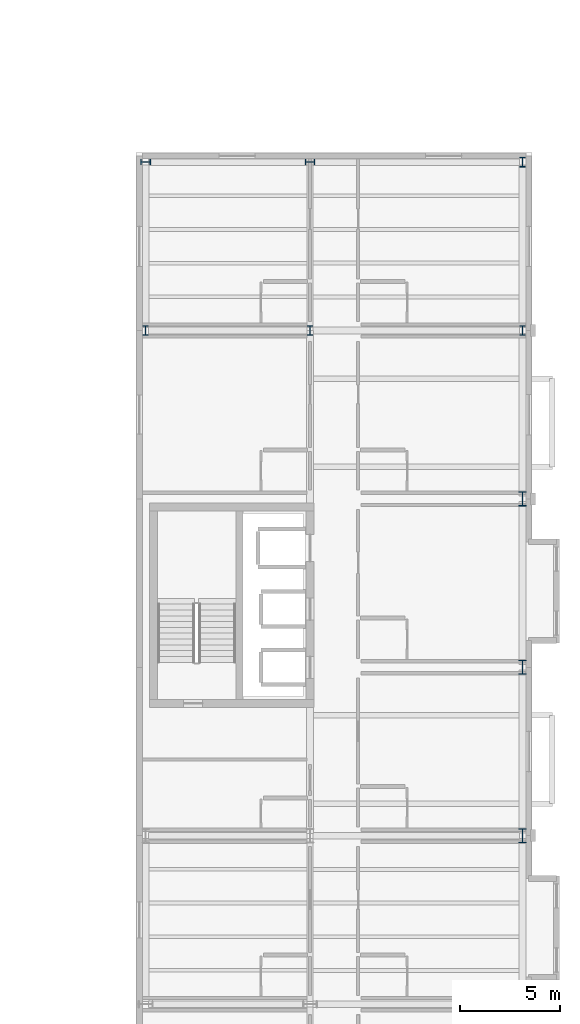
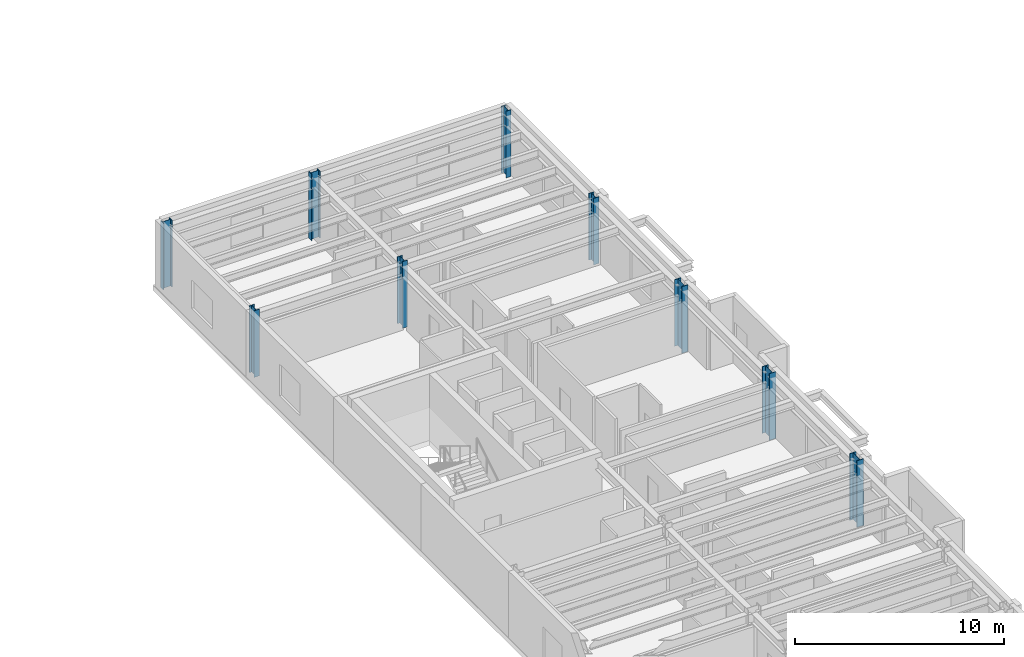
# One storey, part 12 of 59: 9 columns.
"""IFC4 building model written with IfcOpenShell, lengths in metres."""

from ifc_helpers import new_model, si_unit, direction, frame, origin, origin_2d, place, context, subcontext, project, spatial, i_section, extrude, material, material_profile, profile_set, type_object, element, save


model = new_model("IFC4")

# Units and contexts
model_context = context("Model", 3, precision=1e-05, world=origin(), true_north=direction((0.0, 1.0)))
body_context = subcontext(model_context, "Body", "Model", "MODEL_VIEW")
ifc_project = project(units=[si_unit("LENGTHUNIT", "METRE"), si_unit("AREAUNIT", "SQUARE_METRE"), si_unit("VOLUMEUNIT", "CUBIC_METRE"), si_unit("PLANEANGLEUNIT", "RADIAN"), si_unit("MASSUNIT", "GRAM", prefix="KILO")], contexts=[model_context])

# Site, building, storey
site_placement = place(None, origin())
site = spatial("IfcSite", under=ifc_project, at=site_placement, CompositionType="ELEMENT")
building_placement = place(site_placement, origin())
building = spatial("IfcBuilding", under=site, at=building_placement, Name="Sollismere Congress Hotel", CompositionType="ELEMENT")
storey_placement = place(building_placement, frame((0.0, 0.0, 15.60009765625)))
storey = spatial("IfcBuildingStorey", under=building, at=storey_placement, Name="L03", CompositionType="ELEMENT", Elevation=15.60009765625)

# Columns
ifc_material = material(Name="Steel ASTM A992 Grade 50", Category="steel")
ifc_material_profile_1 = material_profile(ifc_material, i_section(OverallWidth=0.283935546875, OverallDepth=0.4951171875, WebThickness=0.0185546875, FlangeThickness=0.033447265625, at=origin_2d()), Name="W18X143")
ifc_profile_set_1 = profile_set([ifc_material_profile_1], Name="Steel ASTM A992 Grade 50")
column_type_1 = type_object("IfcColumnType", Name="COL-W18", PredefinedType="COLUMN", material=ifc_profile_set_1)
for number, where, z_axis, x_axis, name in (
    (1, (147.199951171875, 58.39990234375, 0.0), (0.0, 0.0, 1.0), (1.0, 0.0, 0.0), "Column CL-L03-836"),
    (2, (147.199951171875, 66.800048828125, 0.0), (0.0, 0.0, 1.0), (0.0, 1.0, 0.0), "Column CL-L03-845"),
    (3, (155.39990234375, 58.39990234375, 0.0), (0.0, 0.0, 1.0), (1.0, 0.0, 0.0), "Column CL-L03-924"),
    (4, (155.39990234375, 66.800048828125, 0.0), (0.0, 0.0, 1.0), (0.0, 1.0, 0.0), "Column CL-L03-933"),
    (5, (166.0, 58.39990234375, 0.0), (0.0, 0.0, 1.0), (1.0, 0.0, 0.0), "Column CL-L03-1038"),
    (6, (166.0, 66.800048828125, 0.0), (0.0, 0.0, 1.0), (1.0, 0.0, 0.0), "Column CL-L03-1047"),
):
    element("IfcColumn", number, at=place(storey_placement, frame(where, z_axis=z_axis, x_axis=x_axis)), inside=storey, type_object=column_type_1, Name=name, PredefinedType="COLUMN", context=body_context, shape_type="SweptSolid", body=[
        extrude(i_section(OverallWidth=0.283935546875, OverallDepth=0.4951171875, WebThickness=0.0185546875, FlangeThickness=0.033447265625, at=origin_2d()), origin(), (0.0, 0.0, 1.0), 3.89990234375),
    ])
ifc_material_profile_2 = material_profile(ifc_material, i_section(OverallWidth=0.35595703125, OverallDepth=0.714111328125, WebThickness=0.01904296875, FlangeThickness=0.033935546875, at=origin_2d()), Name="W27X194")
ifc_profile_set_2 = profile_set([ifc_material_profile_2], Name="Steel ASTM A992 Grade 50")
column_type_2 = type_object("IfcColumnType", Name="COL-W27", PredefinedType="COLUMN", material=ifc_profile_set_2)
for number, where, z_axis, x_axis, name in (
    (7, (166.0, 33.199951171875, 0.0), (0.0, 0.0, 1.0), (1.0, 0.0, 0.0), "Column CL-L03-999"),
    (8, (166.0, 41.60009765625, 0.0), (0.0, 0.0, 1.0), (1.0, 0.0, 0.0), "Column CL-L03-1012"),
    (9, (166.0, 50.0, 0.0), (0.0, 0.0, 1.0), (1.0, 0.0, 0.0), "Column CL-L03-1025"),
):
    element("IfcColumn", number, at=place(storey_placement, frame(where, z_axis=z_axis, x_axis=x_axis)), inside=storey, type_object=column_type_2, Name=name, PredefinedType="COLUMN", context=body_context, shape_type="SweptSolid", body=[
        extrude(i_section(OverallWidth=0.35595703125, OverallDepth=0.714111328125, WebThickness=0.01904296875, FlangeThickness=0.033935546875, at=origin_2d()), origin(), (0.0, 0.0, 1.0), 3.89990234375),
    ])

save(model, "model.ifc")
